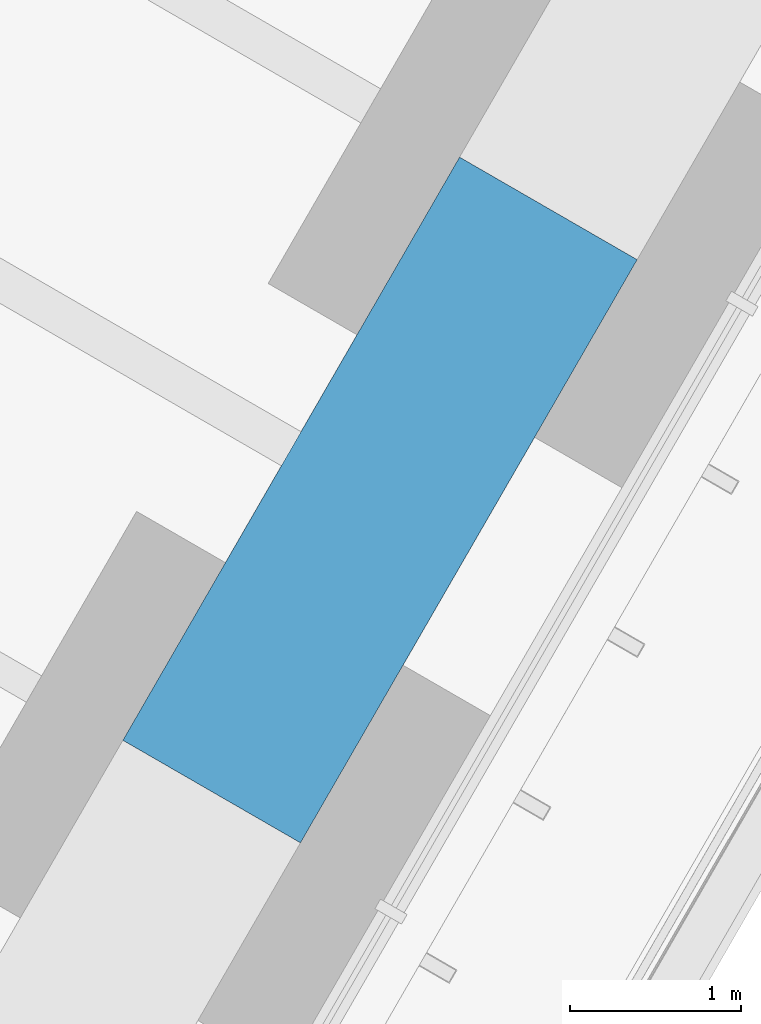
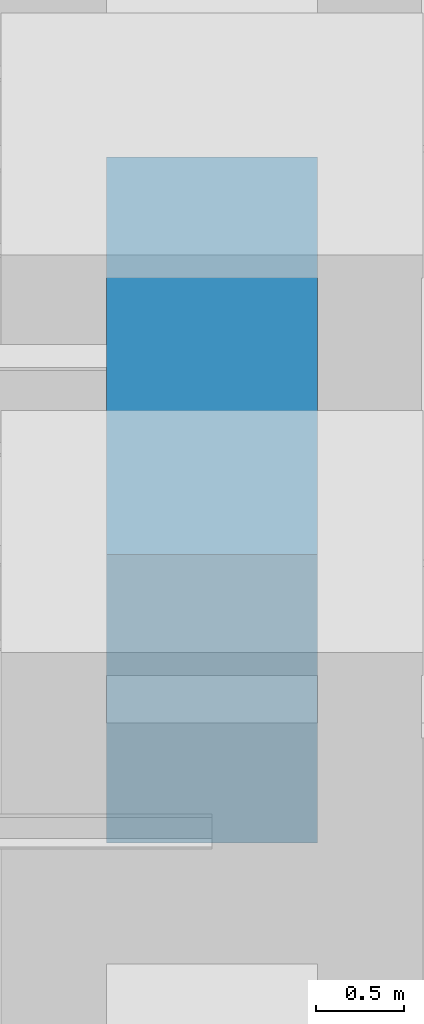
# One storey, part 94 of 238: 1 beam.
"""IFC4 building model written with IfcOpenShell, lengths in metres."""

from ifc_helpers import new_model, si_unit, direction, frame, origin, origin_2d, place, context, subcontext, project, spatial, rectangle, extrude, material, material_profile, profile_set, type_object, element, save


model = new_model("IFC4")

# Units and contexts
model_context = context("Model", 3, precision=1e-05, world=origin(), true_north=direction((0.0, 1.0)))
body_context = subcontext(model_context, "Body", "Model", "MODEL_VIEW")
ifc_project = project(units=[si_unit("LENGTHUNIT", "METRE"), si_unit("AREAUNIT", "SQUARE_METRE"), si_unit("VOLUMEUNIT", "CUBIC_METRE"), si_unit("PLANEANGLEUNIT", "RADIAN"), si_unit("MASSUNIT", "GRAM", prefix="KILO")], contexts=[model_context])

# Site, building, storey
site_placement = place(None, origin())
site = spatial("IfcSite", under=ifc_project, at=site_placement, CompositionType="ELEMENT")
building_placement = place(site_placement, origin())
building = spatial("IfcBuilding", under=site, at=building_placement, Name="Sandreach Pilgrim Tower", CompositionType="ELEMENT")
storey_placement = place(building_placement, frame((0.0, 0.0, 96.800048828125)))
storey = spatial("IfcBuildingStorey", under=building, at=storey_placement, Name="L23", CompositionType="ELEMENT", Elevation=96.800048828125)

# Beam
ifc_material = material(Name="Concrete 10000 psi", Category="concrete")
ifc_material_profile = material_profile(ifc_material, rectangle(XDim=1.199951171875, YDim=2.0, at=origin_2d()), Name="RC1200X2000")
ifc_profile_set = profile_set([ifc_material_profile], Name="Concrete 10000 psi")
beam_type = type_object("IfcBeamType", Name="Spandrel beam RC1200X2000", PredefinedType="SPANDREL", material=ifc_profile_set)
beam_placement = place(storey_placement, frame((19.3740234375, -8.910888671875, 2.639892578125), z_axis=(-0.49999779889, -0.866026674592, 0.0), x_axis=(0.866026674592, -0.49999779889, 0.0)))
element("IfcBeam", 1, at=beam_placement, inside=storey, type_object=beam_type, Name="BM L23 SP17", PredefinedType="SPANDREL", context=body_context, shape_type="SweptSolid", body=[
    extrude(rectangle(XDim=1.199951171875, YDim=2.0, at=origin_2d()), origin(), (0.0, 0.0, 1.0), 3.93994140625),
])

save(model, "model.ifc")
